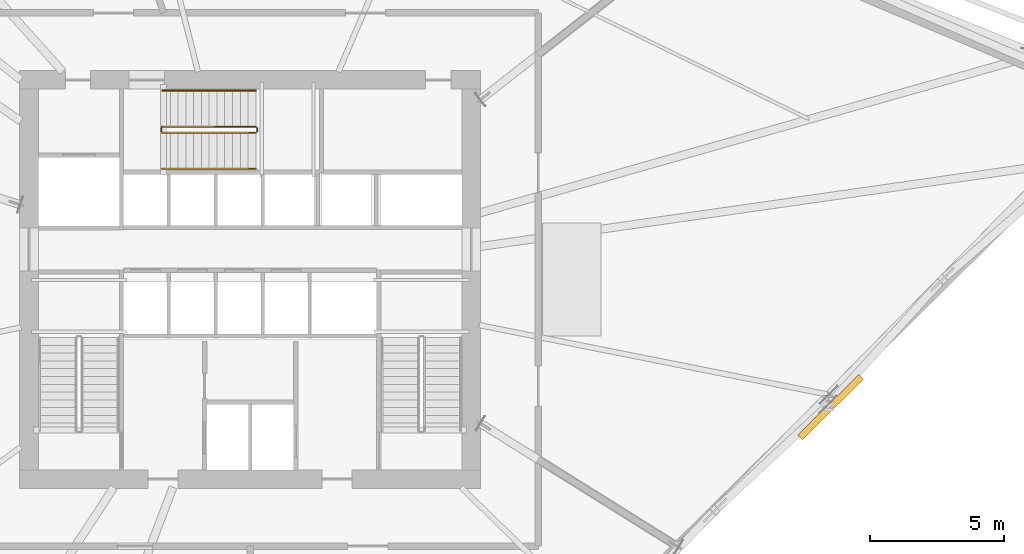
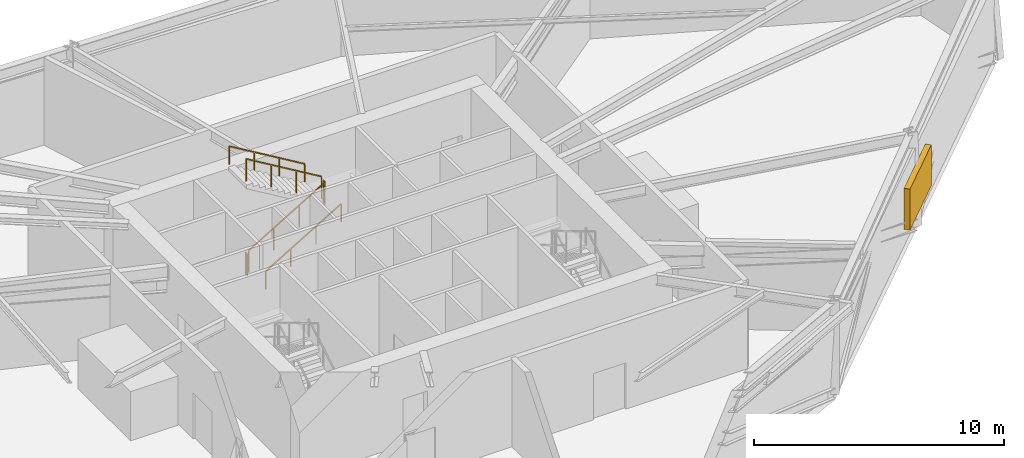
# One storey, part 13 of 15: 6 railings, 1 shading device.
"""IFC4 building model written with IfcOpenShell, lengths in metres."""

from ifc_helpers import new_model, si_unit, direction, frame, origin, origin_2d, place, context, subcontext, project, spatial, rectangle, extrude, source, transform, mapped, material, type_object, element, save


model = new_model("IFC4")

# Units and contexts
model_context = context("Model", 3, precision=1e-05, world=origin(), true_north=direction((0.0, 1.0)))
body_context = subcontext(model_context, "Body", "Model", "MODEL_VIEW")
ifc_project = project(units=[si_unit("LENGTHUNIT", "METRE"), si_unit("AREAUNIT", "SQUARE_METRE"), si_unit("VOLUMEUNIT", "CUBIC_METRE"), si_unit("PLANEANGLEUNIT", "RADIAN"), si_unit("MASSUNIT", "GRAM", prefix="KILO")], contexts=[model_context])

# Site, building, storey
site_placement = place(None, origin())
site = spatial("IfcSite", under=ifc_project, at=site_placement, CompositionType="ELEMENT")
building_placement = place(site_placement, origin())
building = spatial("IfcBuilding", under=site, at=building_placement, Name="Olszyna Solenne Hotel", CompositionType="ELEMENT")
storey_placement = place(building_placement, frame((0.0, 0.0, 79.89990234375)))
storey = spatial("IfcBuildingStorey", under=building, at=storey_placement, Name="L20", CompositionType="ELEMENT", Elevation=79.89990234375)

# Railings
ifc_material_1 = material(Name="Anodised bronze aluminium", Category="aluminium")
railing_type_1 = type_object("IfcRailingType", Name="GR-110", PredefinedType="BALUSTRADE", material=ifc_material_1)
railing_1_placement = place(storey_placement, frame((34.72998046875, 32.080078125, 0.173095703125)))
element("IfcRailing", 1, at=railing_1_placement, inside=storey, type_object=railing_type_1, Name="L20 ST3 stair guard 1", PredefinedType="BALUSTRADE", context=body_context, shape_type="SweptSolid", body=[
    extrude(rectangle(XDim=0.048095703125, YDim=0.048095703125, at=origin_2d()), frame((0.0, 0.0, 1.076171875), z_axis=(0.858697190188, 0.0, 0.512483302717), x_axis=(0.0, 1.0, 0.0)), (0.0, 0.0, 1.0), 4.052734375),
    extrude(rectangle(XDim=0.0419921875, YDim=0.0419921875, at=origin_2d()), origin(), (0.0, 0.0, 1.0), 1.052001953125),
    extrude(rectangle(XDim=0.0419921875, YDim=0.0419921875, at=origin_2d()), frame((1.159912109375, 0.0, 0.6923828125)), (0.0, 0.0, 1.0), 1.052001953125),
    extrude(rectangle(XDim=0.0419921875, YDim=0.0419921875, at=origin_2d()), frame((2.320068359375, 0.0, 1.384521484375)), (0.0, 0.0, 1.0), 1.052001953125),
    extrude(rectangle(XDim=0.0419921875, YDim=0.0419921875, at=origin_2d()), frame((3.47998046875, 0.0, 2.076904296875)), (0.0, 0.0, 1.0), 1.052001953125),
])
railing_2_placement = place(storey_placement, frame((38.260009765625, 32.1298828125, 2.25)))
element("IfcRailing", 2, at=railing_2_placement, inside=storey, type_object=railing_type_1, Name="L20 ST3 stair guard 2", PredefinedType="BALUSTRADE", context=body_context, shape_type="SweptSolid", body=[
    extrude(rectangle(XDim=0.048095703125, YDim=0.048095703125, at=origin_2d()), frame((0.0, 0.0, 1.076171875), z_axis=(0.0, 1.0, 0.0), x_axis=(-1.0, 0.0, 0.0)), (0.0, 0.0, 1.0), 0.1201171875),
    extrude(rectangle(XDim=0.0419921875, YDim=0.0419921875, at=origin_2d()), origin(), (0.0, 0.0, 1.0), 1.052001953125),
    extrude(rectangle(XDim=0.0419921875, YDim=0.0419921875, at=origin_2d()), frame((0.0, 0.1201171875, 0.0)), (0.0, 0.0, 1.0), 1.052001953125),
])
railing_3_placement = place(storey_placement, frame((38.2099609375, 32.300048828125, 2.423095703125)))
element("IfcRailing", 3, at=railing_3_placement, inside=storey, type_object=railing_type_1, Name="L20 ST3 stair guard 3", PredefinedType="BALUSTRADE", context=body_context, shape_type="SweptSolid", body=[
    extrude(rectangle(XDim=0.048095703125, YDim=0.048095703125, at=origin_2d()), frame((0.0, 0.0, 1.076171875), z_axis=(-0.858697190188, 0.0, 0.512483302717), x_axis=(0.0, -1.0, 0.0)), (0.0, 0.0, 1.0), 4.052734375),
    extrude(rectangle(XDim=0.0419921875, YDim=0.0419921875, at=origin_2d()), origin(), (0.0, 0.0, 1.0), 1.052001953125),
    extrude(rectangle(XDim=0.0419921875, YDim=0.0419921875, at=origin_2d()), frame((-1.159912109375, 0.0, 0.6923828125)), (0.0, 0.0, 1.0), 1.052001953125),
    extrude(rectangle(XDim=0.0419921875, YDim=0.0419921875, at=origin_2d()), frame((-2.320068359375, 0.0, 1.384521484375)), (0.0, 0.0, 1.0), 1.052001953125),
    extrude(rectangle(XDim=0.0419921875, YDim=0.0419921875, at=origin_2d()), frame((-3.47998046875, 0.0, 2.076904296875)), (0.0, 0.0, 1.0), 1.052001953125),
])
railing_4_placement = place(storey_placement, frame((34.679931640625, 32.1298828125, 0.0)))
element("IfcRailing", 4, at=railing_4_placement, inside=storey, type_object=railing_type_1, Name="L20 ST3 stair guard 4", PredefinedType="BALUSTRADE", context=body_context, shape_type="SweptSolid", body=[
    extrude(rectangle(XDim=0.048095703125, YDim=0.048095703125, at=origin_2d()), frame((0.0, 0.0, 1.076171875), z_axis=(0.0, 1.0, 0.0), x_axis=(-1.0, 0.0, 0.0)), (0.0, 0.0, 1.0), 0.1201171875),
    extrude(rectangle(XDim=0.0419921875, YDim=0.0419921875, at=origin_2d()), origin(), (0.0, 0.0, 1.0), 1.052001953125),
    extrude(rectangle(XDim=0.0419921875, YDim=0.0419921875, at=origin_2d()), frame((0.0, 0.1201171875, 0.0)), (0.0, 0.0, 1.0), 1.052001953125),
])
ifc_material_2 = material(Name="Steel S355J2", Category="steel")
railing_type_2 = type_object("IfcRailingType", Name="HR-090", PredefinedType="HANDRAIL", material=ifc_material_2)
railing_5_placement = place(storey_placement, frame((34.72998046875, 30.72998046875, 0.173095703125)))
element("IfcRailing", 5, at=railing_5_placement, inside=storey, type_object=railing_type_2, Name="L20 ST3 stair handrail 1", PredefinedType="HANDRAIL", context=body_context, shape_type="SweptSolid", body=[
    extrude(rectangle(XDim=0.048095703125, YDim=0.048095703125, at=origin_2d()), frame((0.0, 0.0, 0.8759765625), z_axis=(0.858697190188, 0.0, 0.512483302717), x_axis=(0.0, 1.0, 0.0)), (0.0, 0.0, 1.0), 4.052734375),
    extrude(rectangle(XDim=0.0419921875, YDim=0.0419921875, at=origin_2d()), origin(), (0.0, 0.0, 1.0), 0.851806640625),
    extrude(rectangle(XDim=0.0419921875, YDim=0.0419921875, at=origin_2d()), frame((1.159912109375, 0.0, 0.6923828125)), (0.0, 0.0, 1.0), 0.851806640625),
    extrude(rectangle(XDim=0.0419921875, YDim=0.0419921875, at=origin_2d()), frame((2.320068359375, 0.0, 1.384521484375)), (0.0, 0.0, 1.0), 0.851806640625),
    extrude(rectangle(XDim=0.0419921875, YDim=0.0419921875, at=origin_2d()), frame((3.47998046875, 0.0, 2.076904296875)), (0.0, 0.0, 1.0), 0.851806640625),
])
railing_6_placement = place(storey_placement, frame((38.2099609375, 33.64990234375, 2.423095703125)))
element("IfcRailing", 6, at=railing_6_placement, inside=storey, type_object=railing_type_2, Name="L20 ST3 stair handrail 2", PredefinedType="HANDRAIL", context=body_context, shape_type="SweptSolid", body=[
    extrude(rectangle(XDim=0.048095703125, YDim=0.048095703125, at=origin_2d()), frame((0.0, 0.0, 0.8759765625), z_axis=(-0.858697190188, 0.0, 0.512483302717), x_axis=(0.0, -1.0, 0.0)), (0.0, 0.0, 1.0), 4.052734375),
    extrude(rectangle(XDim=0.0419921875, YDim=0.0419921875, at=origin_2d()), origin(), (0.0, 0.0, 1.0), 0.851806640625),
    extrude(rectangle(XDim=0.0419921875, YDim=0.0419921875, at=origin_2d()), frame((-1.159912109375, 0.0, 0.6923828125)), (0.0, 0.0, 1.0), 0.851806640625),
    extrude(rectangle(XDim=0.0419921875, YDim=0.0419921875, at=origin_2d()), frame((-2.320068359375, 0.0, 1.384521484375)), (0.0, 0.0, 1.0), 0.851806640625),
    extrude(rectangle(XDim=0.0419921875, YDim=0.0419921875, at=origin_2d()), frame((-3.47998046875, 0.0, 2.076904296875)), (0.0, 0.0, 1.0), 0.851806640625),
])

# Shading device
ifc_material_3 = material(Name="Terracotta cladding", Category="masonry")
shading_device_type = type_object("IfcShadingDeviceType", Name="SH-LV1", PredefinedType="JALOUSIE", material=ifc_material_3)
shared_shape = source(origin(), body_context, "Body", "SweptSolid", [
    extrude(rectangle(XDim=3.199951171875, YDim=0.25, at=origin_2d()), origin(), (0.0, 0.0, 1.0), 2.0),
])
shading_device_placement = place(storey_placement, frame((59.658203125, 21.837158203125, 0.821044921875), z_axis=(0.0, 0.0, 1.0), x_axis=(-0.711780904964, -0.70240155419, 0.0)))
element("IfcShadingDevice", 7, at=shading_device_placement, inside=storey, type_object=shading_device_type, Name="Terracotta acoustic plant louvre bank LV-L20-09", PredefinedType="JALOUSIE", context=body_context, shape_type="MappedRepresentation", body=[
    mapped(shared_shape, transform((0.0, 0.0, 0.0), x_axis=(1.0, 0.0, 0.0), y_axis=(0.0, 1.0, 0.0), z_axis=(0.0, 0.0, 1.0), scale=1.0)),
])

save(model, "model.ifc")
